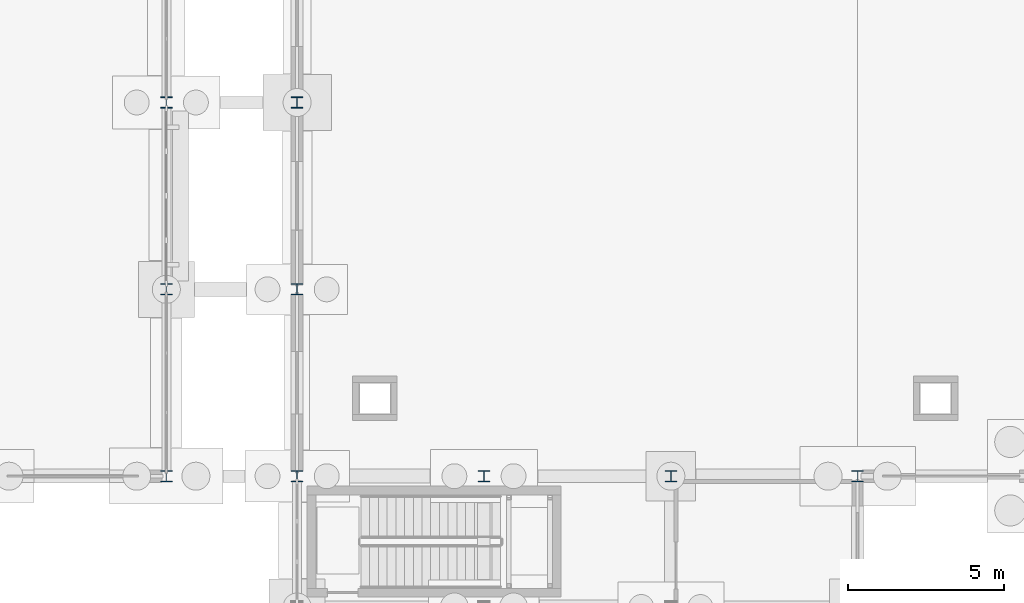
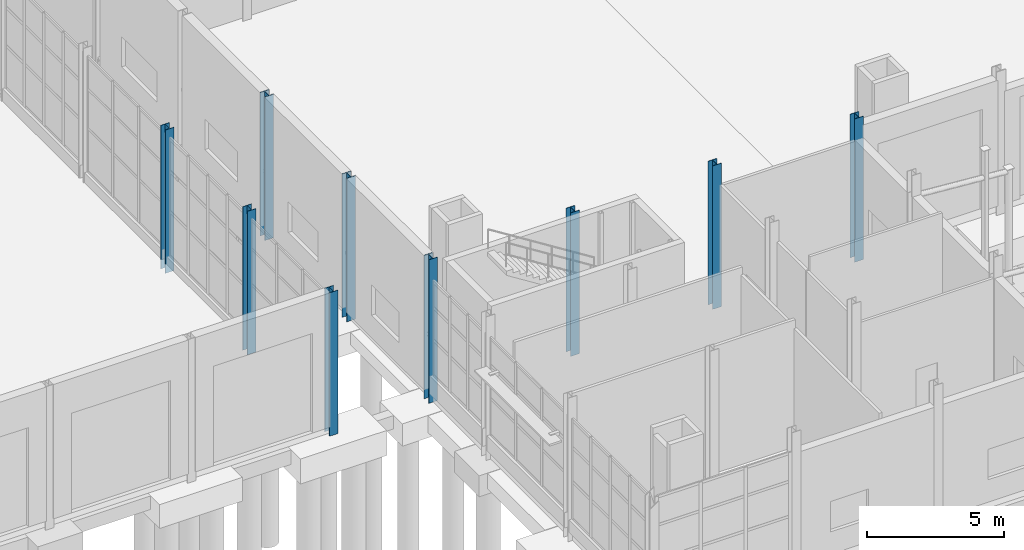
# One storey, part 10 of 120: 9 columns.
"""IFC4 building model written with IfcOpenShell, lengths in metres."""

from ifc_helpers import new_model, si_unit, direction, frame, origin, origin_2d, place, context, subcontext, project, spatial, i_section, extrude, material, material_profile, profile_set, type_object, element, save


model = new_model("IFC4")

# Units and contexts
model_context = context("Model", 3, precision=1e-05, world=origin(), true_north=direction((0.0, 1.0)))
body_context = subcontext(model_context, "Body", "Model", "MODEL_VIEW")
ifc_project = project(units=[si_unit("LENGTHUNIT", "METRE"), si_unit("AREAUNIT", "SQUARE_METRE"), si_unit("VOLUMEUNIT", "CUBIC_METRE"), si_unit("PLANEANGLEUNIT", "RADIAN"), si_unit("MASSUNIT", "GRAM", prefix="KILO")], contexts=[model_context])

# Site, building, storey
site_placement = place(None, origin())
site = spatial("IfcSite", under=ifc_project, at=site_placement, CompositionType="ELEMENT")
building_placement = place(site_placement, origin())
building = spatial("IfcBuilding", under=site, at=building_placement, Name="Siltcreek Boulevard Central Fire Station", CompositionType="ELEMENT")
storey_placement = place(building_placement, origin())
storey = spatial("IfcBuildingStorey", under=building, at=storey_placement, Name="L01", CompositionType="ELEMENT", Elevation=0.0)

# Columns
ifc_material = material(Name="Structural steel ASTM A992 Gr50", Category="steel")
ifc_material_profile = material_profile(ifc_material, i_section(OverallWidth=0.368896484375, OverallDepth=0.35595703125, WebThickness=0.01123046875, FlangeThickness=0.01806640625, at=origin_2d()), Name="W360X134")
ifc_profile_set = profile_set([ifc_material_profile], Name="Structural steel ASTM A992 Gr50")
column_type = type_object("IfcColumnType", Name="COL_W360X134", PredefinedType="COLUMN", material=ifc_profile_set)
for number, where, z_axis, x_axis, name in (
    (1, (42.0, 18.0, -0.409912109375), (0.0, 0.0, 1.0), (1.0, 0.0, 0.0), "L01 structural column COLG-L01-420-180"),
    (2, (42.0, 24.0, -0.409912109375), (0.0, 0.0, 1.0), (1.0, 0.0, 0.0), "L01 structural column COLG-L01-420-240"),
    (3, (42.0, 30.0, -0.409912109375), (0.0, 0.0, 1.0), (1.0, 0.0, 0.0), "L01 structural column COLG-L01-420-300"),
    (4, (48.0, 18.0, -0.409912109375), (0.0, 0.0, 1.0), (1.0, 0.0, 0.0), "L01 structural column COLG-L01-480-180"),
    (5, (54.0, 18.0, -0.409912109375), (0.0, 0.0, 1.0), (1.0, 0.0, 0.0), "L01 structural column COLG-L01-540-180"),
    (6, (60.0, 18.0, -0.409912109375), (0.0, 0.0, 1.0), (1.0, 0.0, 0.0), "L01 structural column COLG-L01-600-180"),
    (7, (37.800048828125, 18.0, -0.409912109375), (0.0, 0.0, 1.0), (1.0, 0.0, 0.0), "L01 structural column COLG-L01-378-180"),
    (8, (37.800048828125, 24.0, -0.409912109375), (0.0, 0.0, 1.0), (1.0, 0.0, 0.0), "L01 structural column COLG-L01-378-240"),
    (9, (37.800048828125, 30.0, -0.409912109375), (0.0, 0.0, 1.0), (1.0, 0.0, 0.0), "L01 structural column COLG-L01-378-300"),
):
    element("IfcColumn", number, at=place(storey_placement, frame(where, z_axis=z_axis, x_axis=x_axis)), inside=storey, type_object=column_type, Name=name, PredefinedType="COLUMN", context=body_context, shape_type="SweptSolid", body=[
        extrude(i_section(OverallWidth=0.368896484375, OverallDepth=0.35595703125, WebThickness=0.01123046875, FlangeThickness=0.01806640625, at=origin_2d()), origin(), (0.0, 0.0, 1.0), 6.409912109375),
    ])

save(model, "model.ifc")
